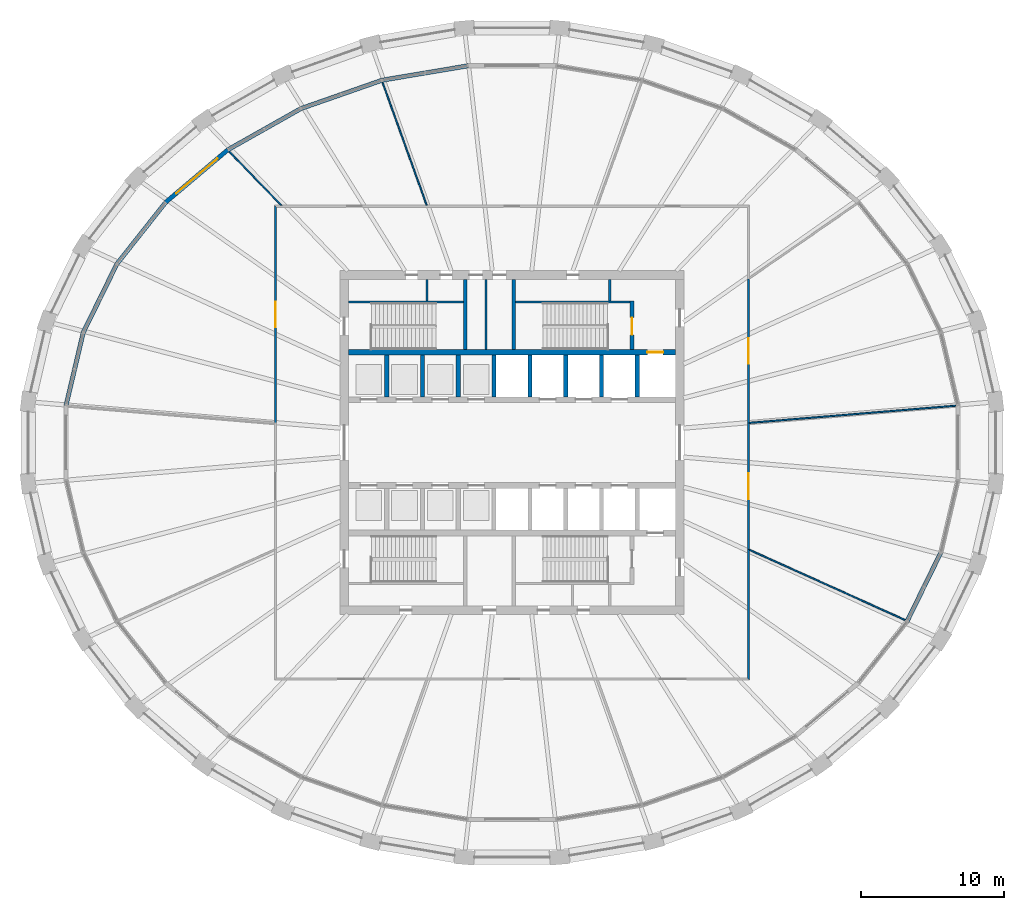
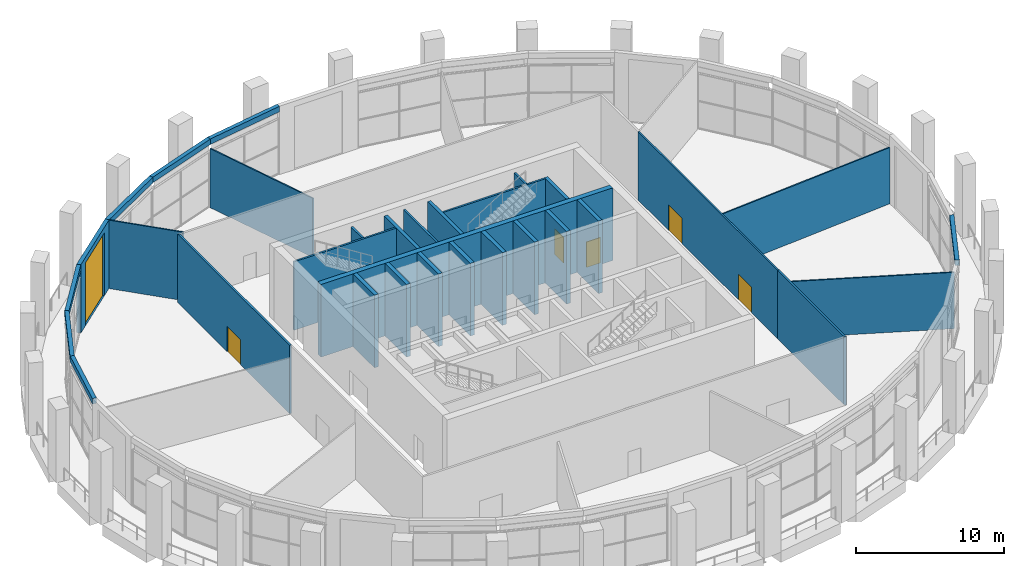
# One storey, part 14 of 19: 32 walls, 6 doors, 6 openings.
"""IFC4 building model written with IfcOpenShell, lengths in metres."""

from ifc_helpers import new_model, si_unit, direction, frame, frame_2d, origin, place, context, subcontext, project, spatial, polyline, rectangle, outline, extrude, material, layer, layer_set, type_object, element, fill, save


model = new_model("IFC4")

# Units and contexts
model_context = context("Model", 3, precision=1e-05, world=origin(), true_north=direction((0.0, 1.0)))
body_context = subcontext(model_context, "Body", "Model", "MODEL_VIEW")
ifc_project = project(units=[si_unit("LENGTHUNIT", "METRE"), si_unit("AREAUNIT", "SQUARE_METRE"), si_unit("VOLUMEUNIT", "CUBIC_METRE"), si_unit("PLANEANGLEUNIT", "RADIAN"), si_unit("MASSUNIT", "GRAM", prefix="KILO")], contexts=[model_context])

# Site, building, storey
site_placement = place(None, origin())
site = spatial("IfcSite", under=ifc_project, at=site_placement, CompositionType="ELEMENT")
building_placement = place(site_placement, origin())
building = spatial("IfcBuilding", under=site, at=building_placement, Name="Halqa Exchange Tower", CompositionType="ELEMENT")
storey_placement = place(building_placement, frame((0.0, 0.0, 167.5)))
storey = spatial("IfcBuildingStorey", under=building, at=storey_placement, Name="L38", CompositionType="ELEMENT", Elevation=167.5)

# Wall, opening, door
ifc_material_1 = material(Name="Fire-rated gypsum board")
ifc_layer_1 = layer(ifc_material_1, 0.14990234375)
ifc_layer_set_1 = layer_set([ifc_layer_1], Name="Fire-rated gypsum board")
wall_type_1 = type_object("IfcWallType", Name="Fire partition EI 60 150", PredefinedType="PARTITIONING", material=ifc_layer_set_1)
wall_1_placement = place(storey_placement, frame((-16.5, 1.3701171875, 0.0), z_axis=(0.0, 0.0, 1.0), x_axis=(0.0, 1.0, 0.0)))
wall_1 = element("IfcWall", 1, at=wall_1_placement, inside=storey, type_object=wall_type_1, Name="L38-PWL-006", PredefinedType="PARTITIONING", context=body_context, shape_type="SweptSolid", body=[
    extrude(outline(polyline([(0.0, -0.074951171875), (1.8818359375, -0.074951171875), (3.763671875, -0.074951171875), (5.6455078125, -0.074951171875), (7.52734375, -0.074951171875), (9.409423828125, -0.074951171875), (11.291259765625, -0.074951171875), (13.173095703125, -0.074951171875), (15.054931640625, -0.074951171875), (15.204833984375, 0.074951171875), (13.30419921875, 0.074951171875), (11.403564453125, 0.074951171875), (9.5029296875, 0.074951171875), (7.6025390625, 0.074951171875), (5.701904296875, 0.074951171875), (3.80126953125, 0.074951171875), (1.900634765625, 0.074951171875), (0.0, 0.074951171875), (0.0, -0.074951171875)])), origin(), (0.0, 0.0, 1.0), 5.64990234375),
])
opening_1_placement = place(wall_1_placement, frame((6.6650390625, 0.0, 0.0)))
opening_1 = element("IfcOpeningElement", 2, at=opening_1_placement, cuts=wall_1, Name="Opening L38-04", PredefinedType="OPENING", context=body_context, shape_type="SweptSolid", body=[
    extrude(rectangle(XDim=1.800048828125, YDim=2.10009765625, at=frame_2d((0.89990234375, 1.050048828125))), frame((0.0, 0.0869140625, 0.0), z_axis=(0.0, -1.0, 0.0), x_axis=(1.0, 0.0, 0.0)), (0.0, 0.0, 1.0), 0.173828125),
])
ifc_material_2 = material(Name="Steel fire door leaf", Category="steel")
door_type_1 = type_object("IfcDoorType", Name="Fire door FD30S double 1800 x 2100", OperationType="DOUBLE_DOOR_SINGLE_SWING", PredefinedType="DOOR", material=ifc_material_2)
door_1_placement = place(opening_1_placement, origin())
door_1 = element("IfcDoor", 3, at=door_1_placement, inside=storey, type_object=door_type_1, Name="L38-IDR-004", OperationType="DOUBLE_DOOR_SINGLE_SWING", OverallHeight=2.10009765625, OverallWidth=1.800048828125, PredefinedType="DOOR", context=body_context, shape_type="SweptSolid", body=[
    extrude(rectangle(XDim=1.800048828125, YDim=2.10009765625, at=frame_2d((0.89990234375, 1.050048828125))), frame((0.0, 0.02490234375, 0.0), z_axis=(0.0, -1.0, 0.0), x_axis=(1.0, 0.0, 0.0)), (0.0, 0.0, 1.0), 0.050048828125),
])
fill(opening_1, door_1)

# Wall
wall_2_placement = place(storey_placement, frame((16.5, -7.449951171875, 0.0), z_axis=(0.0, 0.0, 1.0), x_axis=(0.0, -1.0, 0.0)))
element("IfcWall", 4, at=wall_2_placement, inside=storey, type_object=wall_type_1, Name="L38-PWL-013", PredefinedType="PARTITIONING", context=body_context, shape_type="SweptSolid", body=[
    extrude(outline(polyline([(0.0, -0.074951171875), (1.794921875, -0.074951171875), (3.590087890625, -0.074951171875), (5.385009765625, -0.074951171875), (7.18017578125, -0.074951171875), (8.97509765625, -0.074951171875), (9.125, 0.074951171875), (7.300048828125, 0.074951171875), (5.47509765625, 0.074951171875), (3.64990234375, 0.074951171875), (1.824951171875, 0.074951171875), (0.0, 0.074951171875), (0.0, -0.074951171875)])), origin(), (0.0, 0.0, 1.0), 5.64990234375),
])

# Wall, openings, doors
ifc_material_3 = material(Name="Fire-rated glazing", Category="glass")
ifc_layer_2 = layer(ifc_material_3, 0.1201171875)
ifc_layer_set_2 = layer_set([ifc_layer_2], Name="Fire-rated glazing")
wall_type_2 = type_object("IfcWallType", Name="Glazed fire partition EI 60 120", PredefinedType="PARTITIONING", material=ifc_layer_set_2)
wall_3_placement = place(storey_placement, frame((16.5, -7.449951171875, 0.0), z_axis=(0.0, 0.0, 1.0), x_axis=(0.0, 1.0, 0.0)))
wall_3 = element("IfcWall", 5, at=wall_3_placement, inside=storey, type_object=wall_type_2, Name="L38-PWL-014", PredefinedType="PARTITIONING", context=body_context, shape_type="SweptSolid", body=[
    extrude(rectangle(XDim=18.8798828125, YDim=0.1201171875, at=frame_2d((9.43994140625, 0.0))), origin(), (0.0, 0.0, 1.0), 5.64990234375),
])
opening_2_placement = place(wall_3_placement, frame((3.510009765625, 0.0, 0.0)))
opening_2 = element("IfcOpeningElement", 6, at=opening_2_placement, cuts=wall_3, Name="Opening L38-09", PredefinedType="OPENING", context=body_context, shape_type="SweptSolid", body=[
    extrude(rectangle(XDim=1.800048828125, YDim=2.10009765625, at=frame_2d((0.89990234375, 1.050048828125))), frame((0.0, 0.072021484375, 0.0), z_axis=(0.0, -1.0, 0.0), x_axis=(1.0, 0.0, 0.0)), (0.0, 0.0, 1.0), 0.14404296875),
])
opening_3_placement = place(wall_3_placement, frame((12.949951171875, 0.0, 0.0)))
opening_3 = element("IfcOpeningElement", 7, at=opening_3_placement, cuts=wall_3, Name="Opening L38-10", PredefinedType="OPENING", context=body_context, shape_type="SweptSolid", body=[
    extrude(rectangle(XDim=1.800048828125, YDim=2.10009765625, at=frame_2d((0.89990234375, 1.050048828125))), frame((0.0, 0.072021484375, 0.0), z_axis=(0.0, -1.0, 0.0), x_axis=(1.0, 0.0, 0.0)), (0.0, 0.0, 1.0), 0.14404296875),
])
door_2_placement = place(opening_2_placement, frame((1.800048828125, 0.0, 0.0), z_axis=(0.0, 0.0, 1.0), x_axis=(-1.0, 0.0, 0.0)))
door_2 = element("IfcDoor", 8, at=door_2_placement, inside=storey, type_object=door_type_1, Name="L38-IDR-009", OperationType="DOUBLE_DOOR_SINGLE_SWING", OverallHeight=2.10009765625, OverallWidth=1.800048828125, PredefinedType="DOOR", context=body_context, shape_type="SweptSolid", body=[
    extrude(rectangle(XDim=1.800048828125, YDim=2.10009765625, at=frame_2d((0.89990234375, 1.050048828125))), frame((0.0, 0.02490234375, 0.0), z_axis=(0.0, -1.0, 0.0), x_axis=(1.0, 0.0, 0.0)), (0.0, 0.0, 1.0), 0.050048828125),
])
fill(opening_2, door_2)
door_3_placement = place(opening_3_placement, frame((1.800048828125, 0.0, 0.0), z_axis=(0.0, 0.0, 1.0), x_axis=(-1.0, 0.0, 0.0)))
door_3 = element("IfcDoor", 9, at=door_3_placement, inside=storey, type_object=door_type_1, Name="L38-IDR-010", OperationType="DOUBLE_DOOR_SINGLE_SWING", OverallHeight=2.10009765625, OverallWidth=1.800048828125, PredefinedType="DOOR", context=body_context, shape_type="SweptSolid", body=[
    extrude(rectangle(XDim=1.800048828125, YDim=2.10009765625, at=frame_2d((0.89990234375, 1.050048828125))), frame((0.0, 0.02490234375, 0.0), z_axis=(0.0, -1.0, 0.0), x_axis=(1.0, 0.0, 0.0)), (0.0, 0.0, 1.0), 0.050048828125),
])
fill(opening_3, door_3)

# Walls
ifc_material_4 = material(Name="Gypsum board")
ifc_layer_3 = layer(ifc_material_4, 0.10009765625)
ifc_layer_set_3 = layer_set([ifc_layer_3], Name="Gypsum board")
wall_type_3 = type_object("IfcWallType", Name="Partition 100 gypsum", PredefinedType="PARTITIONING", material=ifc_layer_set_3)
wall_4_placement = place(storey_placement, frame((-16.079345703125, 16.54052734375, 0.0), z_axis=(0.0, 0.0, 1.0), x_axis=(-0.696335683959, 0.717716249812, 0.0)))
element("IfcWall", 10, at=wall_4_placement, inside=storey, type_object=wall_type_3, Name="L38-PWL-008", PredefinedType="PARTITIONING", context=body_context, shape_type="SweptSolid", body=[
    extrude(outline(polyline([(5.2412109375, 0.050048828125), (3.5263671875, 0.050048828125), (1.8115234375, 0.050048828125), (0.0966796875, 0.050048828125), (0.0, -0.049560546875), (0.0, -0.050048828125), (1.7470703125, -0.050048828125), (3.494140625, -0.050048828125), (5.2412109375, -0.050048828125), (5.2412109375, 0.050048828125)])), origin(), (0.0, 0.0, 1.0), 5.64990234375),
])
wall_5_placement = place(storey_placement, frame((-5.950927734375, 16.558349609375, 0.0), z_axis=(0.0, 0.0, 1.0), x_axis=(-0.338285385043, 0.94104356874, 0.0)))
element("IfcWall", 11, at=wall_5_placement, inside=storey, type_object=wall_type_3, Name="L38-PWL-010", PredefinedType="PARTITIONING", context=body_context, shape_type="SweptSolid", body=[
    extrude(outline(polyline([(0.0, -0.050048828125), (1.82275390625, -0.050048828125), (3.6455078125, -0.050048828125), (5.46826171875, -0.050048828125), (7.291015625, -0.050048828125), (9.11376953125, -0.050048828125), (9.122314453125, -0.0029296875), (9.122314453125, 0.005859375), (9.122314453125, 0.050048828125), (7.304931640625, 0.050048828125), (5.487548828125, 0.050048828125), (3.67041015625, 0.050048828125), (1.85302734375, 0.050048828125), (0.03564453125, 0.050048828125), (0.0, -0.04931640625), (0.0, -0.050048828125)])), origin(), (0.0, 0.0, 1.0), 4.8798828125),
])
wall_6_placement = place(storey_placement, frame((16.539794921875, -7.468017578125, 0.0), z_axis=(0.0, 0.0, 1.0), x_axis=(0.911586306474, -0.411108751851, 0.0)))
element("IfcWall", 12, at=wall_6_placement, inside=storey, type_object=wall_type_3, Name="L38-PWL-015", PredefinedType="PARTITIONING", context=body_context, shape_type="SweptSolid", body=[
    extrude(outline(polyline([(0.0, 0.050048828125), (0.0, 0.049072265625), (0.010986328125, 0.024658203125), (0.024658203125, 0.031005859375), (0.061279296875, -0.050048828125), (2.04248046875, -0.050048828125), (4.023681640625, -0.050048828125), (6.005126953125, -0.050048828125), (7.986328125, -0.050048828125), (9.9677734375, -0.050048828125), (11.948974609375, -0.050048828125), (11.948974609375, 0.050048828125), (9.95751953125, 0.050048828125), (7.966064453125, 0.050048828125), (5.974609375, 0.050048828125), (3.98291015625, 0.050048828125), (1.991455078125, 0.050048828125), (0.0, 0.050048828125)])), origin(), (0.0, 0.0, 1.0), 4.659912109375),
])
wall_7_placement = place(storey_placement, frame((16.556396484375, 1.374755859375, 0.0), z_axis=(0.0, 0.0, 1.0), x_axis=(0.996550995981, 0.082982603054, 0.0)))
element("IfcWall", 13, at=wall_7_placement, inside=storey, type_object=wall_type_3, Name="L38-PWL-016", PredefinedType="PARTITIONING", context=body_context, shape_type="SweptSolid", body=[
    extrude(outline(polyline([(14.460205078125, -0.050048828125), (14.460205078125, 0.030517578125), (14.457275390625, 0.050048828125), (12.651123046875, 0.050048828125), (10.844970703125, 0.050048828125), (9.038818359375, 0.050048828125), (7.232421875, 0.050048828125), (5.42626953125, 0.050048828125), (3.6201171875, 0.050048828125), (1.81396484375, 0.050048828125), (0.0078125, 0.050048828125), (0.0, -0.04345703125), (0.0, -0.050048828125), (1.8076171875, -0.050048828125), (3.614990234375, -0.050048828125), (5.422607421875, -0.050048828125), (7.22998046875, -0.050048828125), (9.03759765625, -0.050048828125), (10.84521484375, -0.050048828125), (12.652587890625, -0.050048828125), (14.460205078125, -0.050048828125)])), origin(), (0.0, 0.0, 1.0), 4.64990234375),
])
ifc_layer_4 = layer(ifc_material_4, 0.14990234375)
ifc_layer_set_4 = layer_set([ifc_layer_4], Name="Gypsum board")
wall_type_4 = type_object("IfcWallType", Name="Penthouse riser wall 150 gypsum", PredefinedType="PARTITIONING", material=ifc_layer_set_4)
wall_8_placement = place(storey_placement, frame((-1.824951171875, 6.5, 0.0), z_axis=(0.0, 0.0, 1.0), x_axis=(0.0, 1.0, 0.0)))
element("IfcWall", 14, at=wall_8_placement, inside=storey, type_object=wall_type_4, Name="Partition W1.825 N", PredefinedType="PARTITIONING", context=body_context, shape_type="SweptSolid", body=[
    extrude(rectangle(XDim=4.89990234375, YDim=0.14990234375, at=frame_2d((2.449951171875, 0.0))), origin(), (0.0, 0.0, 1.0), 5.64990234375),
])
for number, where, z_axis, x_axis, name in (
    (15, (-5.925048828125, 9.89990234375, 0.0), (0.0, 0.0, 1.0), (0.0, 1.0, 0.0), "Partition W5.925 N"),
    (16, (6.824951171875, 9.89990234375, 0.0), (0.0, 0.0, 1.0), (0.0, 1.0, 0.0), "Firefighting lobby west wall N"),
):
    element("IfcWall", number, at=place(storey_placement, frame(where, z_axis=z_axis, x_axis=x_axis)), inside=storey, type_object=wall_type_4, Name=name, PredefinedType="PARTITIONING", context=body_context, shape_type="SweptSolid", body=[
        extrude(rectangle(XDim=1.5, YDim=0.14990234375, at=frame_2d((0.75, 0.0))), origin(), (0.0, 0.0, 1.0), 5.64990234375),
    ])
ifc_material_5 = material(Name="Concrete C60/75", Category="concrete")
ifc_layer_5 = layer(ifc_material_5, 0.300048828125)
ifc_layer_set_5 = layer_set([ifc_layer_5], Name="Concrete C60/75")
wall_type_5 = type_object("IfcWallType", Name="RC core wall 300", PredefinedType="SHEAR", material=ifc_layer_set_5)
for number, where, z_axis, x_axis, name in (
    (17, (-8.75, 3.199951171875, 0.0), (0.0, 0.0, 1.0), (0.0, 1.0, 0.0), "Shaft divider N1"),
    (18, (-6.25, 3.199951171875, 0.0), (0.0, 0.0, 1.0), (0.0, 1.0, 0.0), "Shaft divider N2"),
    (19, (-3.75, 3.199951171875, 0.0), (0.0, 0.0, 1.0), (0.0, 1.0, 0.0), "Shaft divider N3"),
    (20, (-1.25, 3.199951171875, 0.0), (0.0, 0.0, 1.0), (0.0, 1.0, 0.0), "Shaft divider N4"),
    (21, (1.25, 3.199951171875, 0.0), (0.0, 0.0, 1.0), (0.0, 1.0, 0.0), "Shaft divider N5"),
    (22, (3.75, 3.199951171875, 0.0), (0.0, 0.0, 1.0), (0.0, 1.0, 0.0), "Shaft divider N6"),
    (23, (6.25, 3.199951171875, 0.0), (0.0, 0.0, 1.0), (0.0, 1.0, 0.0), "Shaft divider N7"),
    (24, (8.75, 3.199951171875, 0.0), (0.0, 0.0, 1.0), (0.0, 1.0, 0.0), "Shaft divider N8"),
):
    element("IfcWall", number, at=place(storey_placement, frame(where, z_axis=z_axis, x_axis=x_axis)), inside=storey, type_object=wall_type_5, Name=name, PredefinedType="SHEAR", context=body_context, shape_type="SweptSolid", body=[
        extrude(rectangle(XDim=2.900146484375, YDim=0.300048828125, at=frame_2d((1.4501953125, 0.0))), origin(), (0.0, 0.0, 1.0), 6.0),
    ])

# Wall, opening, door
ifc_material_6 = material(Name="Concrete C70/85", Category="concrete")
ifc_layer_6 = layer(ifc_material_6, 0.39990234375)
ifc_layer_set_6 = layer_set([ifc_layer_6], Name="Concrete C70/85")
wall_type_6 = type_object("IfcWallType", Name="RC core wall 400 C70/85", PredefinedType="SHEAR", material=ifc_layer_set_6)
wall_9_placement = place(storey_placement, frame((-11.39990234375, 6.300048828125, 0.0), z_axis=(0.0, 0.0, 1.0), x_axis=(1.0, 0.0, 0.0)))
wall_9 = element("IfcWall", 25, at=wall_9_placement, inside=storey, type_object=wall_type_6, Name="Lift row back wall N", PredefinedType="SHEAR", context=body_context, shape_type="SweptSolid", body=[
    extrude(rectangle(XDim=22.7998046875, YDim=0.39990234375, at=frame_2d((11.39990234375, 0.0))), origin(), (0.0, 0.0, 1.0), 6.0),
])
opening_4_placement = place(wall_9_placement, frame((20.85009765625, 0.0, 0.0)))
opening_4 = element("IfcOpeningElement", 26, at=opening_4_placement, cuts=wall_9, Name="Opening LD-FF1-L38", PredefinedType="OPENING", context=body_context, shape_type="SweptSolid", body=[
    extrude(rectangle(XDim=1.10009765625, YDim=2.10009765625, at=frame_2d((0.550048828125, 1.050048828125))), frame((0.0, 0.2119140625, 0.0), z_axis=(0.0, -1.0, 0.0), x_axis=(1.0, 0.0, 0.0)), (0.0, 0.0, 1.0), 0.423828125),
])
ifc_material_7 = material(Name="Stainless steel", Category="steel")
door_type_2 = type_object("IfcDoorType", Name="Lift landing door 1100 x 2100", OperationType="SLIDING_TO_LEFT", PredefinedType="DOOR", material=ifc_material_7)
door_4_placement = place(opening_4_placement, origin())
door_4 = element("IfcDoor", 27, at=door_4_placement, inside=storey, type_object=door_type_2, Name="Lift landing door FF1", OperationType="SLIDING_TO_LEFT", OverallHeight=2.10009765625, OverallWidth=1.10009765625, PredefinedType="DOOR", context=body_context, shape_type="SweptSolid", body=[
    extrude(rectangle(XDim=1.10009765625, YDim=2.10009765625, at=frame_2d((0.550048828125, 1.050048828125))), frame((0.0, 0.02490234375, 0.0), z_axis=(0.0, -1.0, 0.0), x_axis=(1.0, 0.0, 0.0)), (0.0, 0.0, 1.0), 0.050048828125),
])
fill(opening_4, door_4)

# Walls
ifc_material_8 = material(Name="Concrete C30/37", Category="concrete")
ifc_layer_7 = layer(ifc_material_8, 0.14990234375)
ifc_layer_set_7 = layer_set([ifc_layer_7], Name="Concrete C30/37")
wall_type_7 = type_object("IfcWallType", Name="RC stair wall 150 C30/37", PredefinedType="SHEAR", material=ifc_layer_set_7)
for number, where, z_axis, x_axis, name in (
    (28, (-11.39990234375, 9.824951171875, 0.0), (0.0, 0.0, 1.0), (1.0, 0.0, 0.0), "Stair ST1 north wall N"),
    (29, (0.25, 9.824951171875, 0.0), (0.0, 0.0, 1.0), (1.0, 0.0, 0.0), "Stair ST2 north wall N"),
):
    element("IfcWall", number, at=place(storey_placement, frame(where, z_axis=z_axis, x_axis=x_axis)), inside=storey, type_object=wall_type_7, Name=name, PredefinedType="SHEAR", context=body_context, shape_type="SweptSolid", body=[
        extrude(rectangle(XDim=8.0, YDim=0.14990234375, at=frame_2d((4.0, 0.0))), origin(), (0.0, 0.0, 1.0), 5.64990234375),
    ])
ifc_layer_8 = layer(ifc_material_8, 0.25)
ifc_layer_set_8 = layer_set([ifc_layer_8], Name="Concrete C30/37")
wall_type_8 = type_object("IfcWallType", Name="RC stair wall 250 C30/37", PredefinedType="SHEAR", material=ifc_layer_set_8)
for number, where, z_axis, x_axis, name in (
    (30, (-3.27490234375, 6.5, 0.0), (0.0, 0.0, 1.0), (0.0, 1.0, 0.0), "Stair ST1 east wall N"),
    (31, (0.125, 6.5, 0.0), (0.0, 0.0, 1.0), (0.0, 1.0, 0.0), "Stair ST2 west wall N"),
):
    element("IfcWall", number, at=place(storey_placement, frame(where, z_axis=z_axis, x_axis=x_axis)), inside=storey, type_object=wall_type_8, Name=name, PredefinedType="SHEAR", context=body_context, shape_type="SweptSolid", body=[
        extrude(rectangle(XDim=4.89990234375, YDim=0.25, at=frame_2d((2.449951171875, 0.0))), origin(), (0.0, 0.0, 1.0), 5.64990234375),
    ])

# Wall, opening, door
wall_10_placement = place(storey_placement, frame((8.375, 6.5, 0.0), z_axis=(0.0, 0.0, 1.0), x_axis=(0.0, 1.0, 0.0)))
wall_10 = element("IfcWall", 32, at=wall_10_placement, inside=storey, type_object=wall_type_8, Name="Stair ST2 east wall N", PredefinedType="SHEAR", context=body_context, shape_type="SweptSolid", body=[
    extrude(rectangle(XDim=3.39990234375, YDim=0.25, at=frame_2d((1.699951171875, 0.0))), origin(), (0.0, 0.0, 1.0), 5.64990234375),
])
opening_5_placement = place(wall_10_placement, frame((1.02490234375, 0.0, 0.0)))
opening_5 = element("IfcOpeningElement", 33, at=opening_5_placement, cuts=wall_10, Name="Opening L38-C20", PredefinedType="OPENING", context=body_context, shape_type="SweptSolid", body=[
    extrude(rectangle(XDim=1.199951171875, YDim=2.10009765625, at=frame_2d((0.60009765625, 1.050048828125))), frame((0.0, 0.136962890625, 0.0), z_axis=(0.0, -1.0, 0.0), x_axis=(1.0, 0.0, 0.0)), (0.0, 0.0, 1.0), 0.27392578125),
])
door_type_3 = type_object("IfcDoorType", Name="Stair door FD90 1200 x 2100", OperationType="SINGLE_SWING_LEFT", PredefinedType="DOOR", material=ifc_material_2)
door_5_placement = place(opening_5_placement, origin())
door_5 = element("IfcDoor", 34, at=door_5_placement, inside=storey, type_object=door_type_3, Name="Stair door ST2", OperationType="SINGLE_SWING_RIGHT", OverallHeight=2.10009765625, OverallWidth=1.199951171875, PredefinedType="DOOR", context=body_context, shape_type="SweptSolid", body=[
    extrude(rectangle(XDim=1.199951171875, YDim=2.10009765625, at=frame_2d((0.60009765625, 1.050048828125))), frame((0.0, 0.02490234375, 0.0), z_axis=(0.0, -1.0, 0.0), x_axis=(1.0, 0.0, 0.0)), (0.0, 0.0, 1.0), 0.050048828125),
])
fill(opening_5, door_5)

ifc_material_9 = material(Name="Limestone cladding", Category="masonry")
ifc_layer_9 = layer(ifc_material_9, 0.0400390625)
ifc_material_10 = material(Name="Ventilated cavity")
ifc_layer_10 = layer(ifc_material_10, 0.030029296875, ventilated=True)
ifc_material_11 = material(Name="Mineral wool insulation")
ifc_layer_11 = layer(ifc_material_11, 0.10009765625)
ifc_layer_12 = layer(ifc_material_8, 0.10009765625)
ifc_material_12 = material(Name="Internal plaster")
ifc_layer_13 = layer(ifc_material_12, 0.030029296875)
ifc_layer_set_9 = layer_set([ifc_layer_9, ifc_layer_10, ifc_layer_11, ifc_layer_12, ifc_layer_13], Name="Stone-faced insulated wall 300")
wall_type_9 = type_object("IfcWallType", Name="Stone-faced insulated wall 300", PredefinedType="STANDARD", material=ifc_layer_set_9)
wall_11_placement = place(storey_placement, frame((-19.8291015625, 20.434814453125, 0.0), z_axis=(0.0, 0.0, 1.0), x_axis=(-0.764076096085, -0.645126126732, 0.0)))
wall_11 = element("IfcWall", 35, at=wall_11_placement, inside=storey, type_object=wall_type_9, Name="Glass-line wall 12", PredefinedType="STANDARD", context=body_context, shape_type="SweptSolid", body=[
    extrude(outline(polyline([(-0.01416015625, -0.14990234375), (5.690185546875, -0.14990234375), (5.659912109375, 0.14990234375), (0.01416015625, 0.14990234375), (-0.01416015625, -0.14990234375)])), origin(), (0.0, 0.0, 1.0), 5.64990234375),
])
opening_6_placement = place(wall_11_placement, frame((0.96240234375, 0.0, 0.0)))
opening_6 = element("IfcOpeningElement", 36, at=opening_6_placement, cuts=wall_11, Name="Opening LGS-F2-03", PredefinedType="OPENING", context=body_context, shape_type="SweptSolid", body=[
    extrude(rectangle(XDim=3.75, YDim=5.199951171875, at=frame_2d((1.875, 2.60009765625))), frame((0.0, 0.162109375, 0.0), z_axis=(0.0, -1.0, 0.0), x_axis=(1.0, 0.0, 0.0)), (0.0, 0.0, 1.0), 0.323974609375),
])
ifc_material_13 = material(Name="Clear low-emissivity glass in aluminium frame", Category="aluminium")
door_type_4 = type_object("IfcDoorType", Name="Glazed sliding balcony door 3750 x 5200", OperationType="DOUBLE_DOOR_SLIDING", PredefinedType="DOOR", material=ifc_material_13)
door_6_placement = place(opening_6_placement, origin())
door_6 = element("IfcDoor", 37, at=door_6_placement, inside=storey, type_object=door_type_4, Name="Loggia door 3", OperationType="DOUBLE_DOOR_SLIDING", OverallHeight=5.199951171875, OverallWidth=3.75, PredefinedType="DOOR", context=body_context, shape_type="SweptSolid", body=[
    extrude(rectangle(XDim=3.75, YDim=5.199951171875, at=frame_2d((1.875, 2.60009765625))), frame((0.0, 0.02490234375, 0.0), z_axis=(0.0, -1.0, 0.0), x_axis=(1.0, 0.0, 0.0)), (0.0, 0.0, 1.0), 0.050048828125),
])
fill(opening_6, door_6)

# Walls
ifc_layer_14 = layer(ifc_material_9, 0.0400390625)
ifc_layer_15 = layer(ifc_material_10, 0.030029296875, ventilated=True)
ifc_layer_16 = layer(ifc_material_11, 0.10009765625)
ifc_layer_17 = layer(ifc_material_8, 0.10009765625)
ifc_layer_18 = layer(ifc_material_12, 0.030029296875)
ifc_layer_set_10 = layer_set([ifc_layer_14, ifc_layer_15, ifc_layer_16, ifc_layer_17, ifc_layer_18], Name="Stone-faced spandrel wall 300")
wall_type_10 = type_object("IfcWallType", Name="Stone-faced spandrel wall 300", PredefinedType="STANDARD", material=ifc_layer_set_10)
wall_12_placement = place(storey_placement, frame((-3.06298828125, 26.298583984375, 5.199951171875), z_axis=(0.0, 0.0, 1.0), x_axis=(-0.98618955457, -0.165620537547, 0.0)))
element("IfcWall", 38, at=wall_12_placement, inside=storey, type_object=wall_type_10, Name="Spandrel wall 9", PredefinedType="STANDARD", context=body_context, shape_type="SweptSolid", body=[
    extrude(outline(polyline([(-0.012451171875, -0.14990234375), (6.105224609375, -0.14990234375), (6.079833984375, 0.14990234375), (0.012451171875, 0.14990234375), (-0.012451171875, -0.14990234375)])), origin(), (0.0, 0.0, 1.0), 0.449951171875),
])
wall_13_placement = place(storey_placement, frame((-9.0712890625, 25.28955078125, 5.199951171875), z_axis=(0.0, 0.0, 1.0), x_axis=(-0.943944636678, -0.330103806228, 0.0)))
element("IfcWall", 39, at=wall_13_placement, inside=storey, type_object=wall_type_10, Name="Spandrel wall 10", PredefinedType="STANDARD", context=body_context, shape_type="SweptSolid", body=[
    extrude(outline(polyline([(-0.0126953125, -0.14990234375), (6.0107421875, -0.14990234375), (5.98388671875, 0.14990234375), (0.0126953125, 0.14990234375), (-0.0126953125, -0.14990234375)])), origin(), (0.0, 0.0, 1.0), 0.449951171875),
])
wall_14_placement = place(storey_placement, frame((-14.732421875, 23.309814453125, 5.199951171875), z_axis=(0.0, 0.0, 1.0), x_axis=(-0.870982130072, -0.491314694565, 0.0)))
element("IfcWall", 40, at=wall_14_placement, inside=storey, type_object=wall_type_10, Name="Spandrel wall 11", PredefinedType="STANDARD", context=body_context, shape_type="SweptSolid", body=[
    extrude(outline(polyline([(-0.013427734375, -0.14990234375), (5.86572265625, -0.14990234375), (5.83740234375, 0.14990234375), (0.013427734375, 0.14990234375), (-0.013427734375, -0.14990234375)])), origin(), (0.0, 0.0, 1.0), 0.449951171875),
])
wall_15_placement = place(storey_placement, frame((-24.165283203125, 16.773681640625, 5.199951171875), z_axis=(0.0, 0.0, 1.0), x_axis=(-0.620577705153, -0.784144955902, 0.0)))
element("IfcWall", 41, at=wall_15_placement, inside=storey, type_object=wall_type_10, Name="Spandrel wall 13", PredefinedType="STANDARD", context=body_context, shape_type="SweptSolid", body=[
    extrude(outline(polyline([(-0.01513671875, -0.14990234375), (5.5087890625, -0.14990234375), (5.4765625, 0.14990234375), (0.01513671875, 0.14990234375), (-0.01513671875, -0.14990234375)])), origin(), (0.0, 0.0, 1.0), 0.449951171875),
])
wall_16_placement = place(storey_placement, frame((-27.573974609375, 12.466552734375, 5.199951171875), z_axis=(0.0, 0.0, 1.0), x_axis=(-0.440444485575, -0.897779847806, 0.0)))
element("IfcWall", 42, at=wall_16_placement, inside=storey, type_object=wall_type_10, Name="Spandrel wall 14", PredefinedType="STANDARD", context=body_context, shape_type="SweptSolid", body=[
    extrude(outline(polyline([(-0.01611328125, -0.14990234375), (5.350341796875, -0.14990234375), (5.316650390625, 0.14990234375), (0.01611328125, 0.14990234375), (-0.01611328125, -0.14990234375)])), origin(), (0.0, 0.0, 1.0), 0.449951171875),
])
wall_17_placement = place(storey_placement, frame((-29.923095703125, 7.67822265625, 5.199951171875), z_axis=(0.0, 0.0, 1.0), x_axis=(-0.229297175564, -0.973356463624, 0.0)))
element("IfcWall", 43, at=wall_17_placement, inside=storey, type_object=wall_type_10, Name="Spandrel wall 15", PredefinedType="STANDARD", context=body_context, shape_type="SweptSolid", body=[
    extrude(outline(polyline([(-0.016845703125, -0.14990234375), (5.241943359375, -0.14990234375), (5.207275390625, 0.14990234375), (0.016845703125, 0.14990234375), (-0.016845703125, -0.14990234375)])), origin(), (0.0, 0.0, 1.0), 0.449951171875),
])
wall_18_placement = place(storey_placement, frame((27.573974609375, -12.466552734375, 5.199951171875), z_axis=(0.0, 0.0, 1.0), x_axis=(0.440444485575, 0.897779847806, 0.0)))
element("IfcWall", 44, at=wall_18_placement, inside=storey, type_object=wall_type_10, Name="Spandrel wall 30", PredefinedType="STANDARD", context=body_context, shape_type="SweptSolid", body=[
    extrude(outline(polyline([(-0.01611328125, -0.14990234375), (5.350341796875, -0.14990234375), (5.316650390625, 0.14990234375), (0.01611328125, 0.14990234375), (-0.01611328125, -0.14990234375)])), origin(), (0.0, 0.0, 1.0), 0.449951171875),
])

save(model, "model.ifc")
